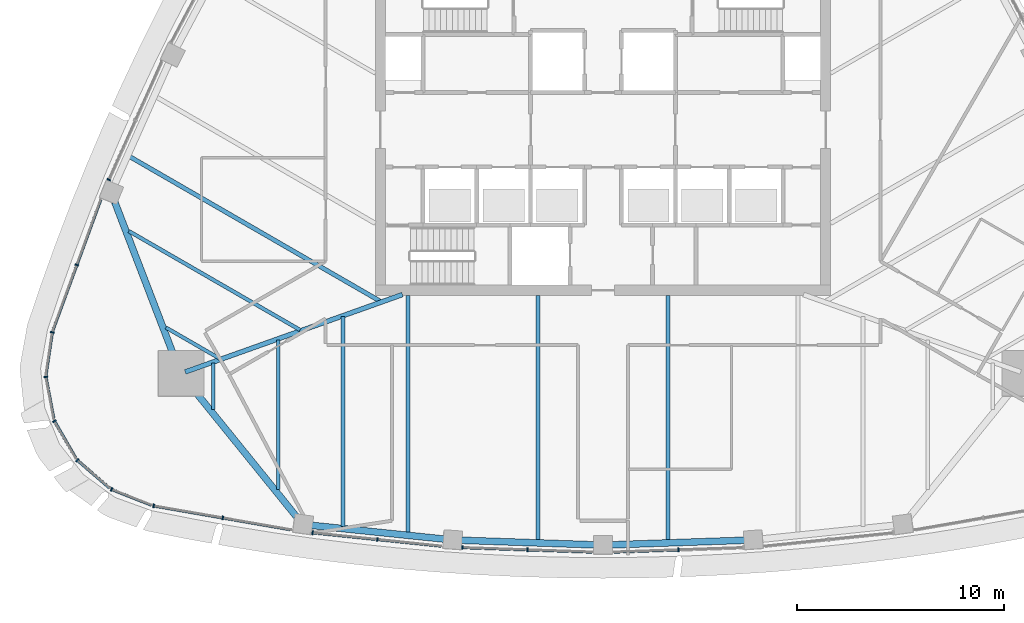
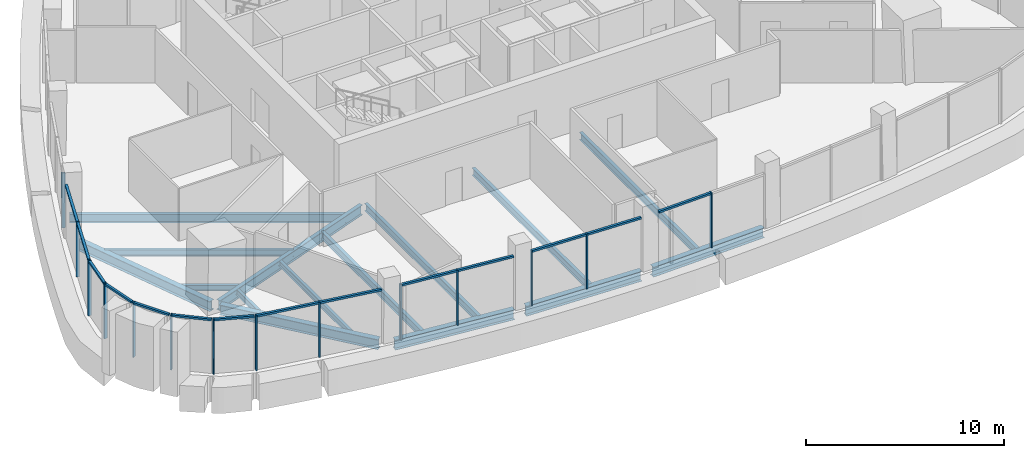
# One storey, part 2 of 15: 28 members, 15 beams, 11 elements without a shape of their own.
"""IFC4 building model written with IfcOpenShell, lengths in metres."""

from ifc_helpers import new_model, si_unit, direction, frame, origin, origin_2d, place, context, subcontext, project, spatial, rectangle, i_section, extrude, material, layer, layer_set, material_profile, profile_set, type_object, element, aggregate, save


model = new_model("IFC4")

# Units and contexts
model_context = context("Model", 3, precision=1e-05, world=origin(), true_north=direction((0.0, 1.0)))
body_context = subcontext(model_context, "Body", "Model", "MODEL_VIEW")
ifc_project = project(units=[si_unit("LENGTHUNIT", "METRE"), si_unit("AREAUNIT", "SQUARE_METRE"), si_unit("VOLUMEUNIT", "CUBIC_METRE"), si_unit("PLANEANGLEUNIT", "RADIAN"), si_unit("MASSUNIT", "GRAM", prefix="KILO")], contexts=[model_context])

# Site, building, storey
site_placement = place(None, origin())
site = spatial("IfcSite", under=ifc_project, at=site_placement, CompositionType="ELEMENT")
building_placement = place(site_placement, origin())
building = spatial("IfcBuilding", under=site, at=building_placement, Name="Sierra Prisma Convention Tower", CompositionType="ELEMENT")
storey_placement = place(building_placement, frame((0.0, 0.0, 299.0)))
storey = spatial("IfcBuildingStorey", under=building, at=storey_placement, Name="L68", CompositionType="ELEMENT", Elevation=299.0)

# Curtain wall, members
ifc_material_1 = material(Name="Aluminium and glass curtain wall", Category="aluminium")
ifc_layer = layer(ifc_material_1, 0.179931640625)
ifc_layer_set = layer_set([ifc_layer], Name="CW-1 Plain shaft curtain wall")
curtain_wall_type = type_object("IfcCurtainWallType", Name="CW-1 Plain shaft curtain wall", PredefinedType="NOTDEFINED", material=ifc_layer_set)
curtain_wall_1_placement = place(storey_placement, origin())
curtain_wall_1 = element("IfcCurtainWall", 1, at=curtain_wall_1_placement, inside=storey, type_object=curtain_wall_type, Name="CW-1 S1 L68", PredefinedType="NOTDEFINED")
ifc_material_2 = material(Name="Aluminium 6063-T6 bronze anodised", Category="aluminium")
ifc_material_profile_1 = material_profile(ifc_material_2, rectangle(XDim=0.179931640625, YDim=0.070068359375, at=origin_2d()), Name="ALU MULLION 70x180")
ifc_profile_set_1 = profile_set([ifc_material_profile_1], Name="Aluminium 6063-T6 bronze anodised")
member_type_1 = type_object("IfcMemberType", Name="CW mullion bronze", PredefinedType="MULLION", material=ifc_profile_set_1)
member_1_placement = place(storey_placement, frame((-21.704345703125, -18.16650390625, 0.0), z_axis=(0.0, 0.0, 1.0), x_axis=(0.17142950315, 0.98519638928, 0.0)))
member_1 = element("IfcMember", 2, at=member_1_placement, type_object=member_type_1, Name="CW-1 mullion S1.1", PredefinedType="MULLION", context=body_context, shape_type="SweptSolid", body=[
    extrude(rectangle(XDim=0.179931640625, YDim=0.070068359375, at=origin_2d()), origin(), (0.0, 0.0, 1.0), 3.39990234375),
])
member_2_placement = place(storey_placement, frame((-18.3662109375, -18.74755859375, 0.0), z_axis=(0.0, 0.0, 1.0), x_axis=(0.17142950315, 0.98519638928, 0.0)))
member_2 = element("IfcMember", 3, at=member_2_placement, type_object=member_type_1, Name="CW-1 mullion S1.2", PredefinedType="MULLION", context=body_context, shape_type="SweptSolid", body=[
    extrude(rectangle(XDim=0.179931640625, YDim=0.070068359375, at=origin_2d()), origin(), (0.0, 0.0, 1.0), 3.39990234375),
])

curtain_wall_2_placement = place(storey_placement, origin())
curtain_wall_2 = element("IfcCurtainWall", 4, at=curtain_wall_2_placement, inside=storey, type_object=curtain_wall_type, Name="CW-1 S2 L68", PredefinedType="NOTDEFINED")
member_3_placement = place(storey_placement, frame((-14.024169921875, -19.466064453125, 0.0), z_axis=(0.0, 0.0, 1.0), x_axis=(0.103184298277, 0.994662254531, 0.0)))
member_3 = element("IfcMember", 5, at=member_3_placement, type_object=member_type_1, Name="CW-1 mullion S2.1", PredefinedType="MULLION", context=body_context, shape_type="SweptSolid", body=[
    extrude(rectangle(XDim=0.179931640625, YDim=0.070068359375, at=origin_2d()), origin(), (0.0, 0.0, 1.0), 3.39990234375),
])
member_4_placement = place(storey_placement, frame((-10.8994140625, -19.7900390625, 0.0), z_axis=(0.0, 0.0, 1.0), x_axis=(0.103184298277, 0.994662254531, 0.0)))
member_4 = element("IfcMember", 6, at=member_4_placement, type_object=member_type_1, Name="CW-1 mullion S2.2", PredefinedType="MULLION", context=body_context, shape_type="SweptSolid", body=[
    extrude(rectangle(XDim=0.179931640625, YDim=0.070068359375, at=origin_2d()), origin(), (0.0, 0.0, 1.0), 3.39990234375),
])

curtain_wall_3_placement = place(storey_placement, origin())
curtain_wall_3 = element("IfcCurtainWall", 7, at=curtain_wall_3_placement, inside=storey, type_object=curtain_wall_type, Name="CW-1 S3 L68", PredefinedType="NOTDEFINED")
member_5_placement = place(storey_placement, frame((-6.795654296875, -20.181396484375, 0.0), z_axis=(0.0, 0.0, 1.0), x_axis=(0.034449276447, 0.999406447524, 0.0)))
member_5 = element("IfcMember", 8, at=member_5_placement, type_object=member_type_1, Name="CW-1 mullion S3.1", PredefinedType="MULLION", context=body_context, shape_type="SweptSolid", body=[
    extrude(rectangle(XDim=0.179931640625, YDim=0.070068359375, at=origin_2d()), origin(), (0.0, 0.0, 1.0), 3.39990234375),
])
member_6_placement = place(storey_placement, frame((-3.64013671875, -20.290283203125, 0.0), z_axis=(0.0, 0.0, 1.0), x_axis=(0.034449276447, 0.999406447524, 0.0)))
member_6 = element("IfcMember", 9, at=member_6_placement, type_object=member_type_1, Name="CW-1 mullion S3.2", PredefinedType="MULLION", context=body_context, shape_type="SweptSolid", body=[
    extrude(rectangle(XDim=0.179931640625, YDim=0.070068359375, at=origin_2d()), origin(), (0.0, 0.0, 1.0), 3.39990234375),
])

# Curtain wall, member
curtain_wall_4_placement = place(storey_placement, origin())
curtain_wall_4 = element("IfcCurtainWall", 10, at=curtain_wall_4_placement, inside=storey, type_object=curtain_wall_type, Name="CW-1 S4 L68", PredefinedType="NOTDEFINED")
member_7_placement = place(storey_placement, frame((3.64013671875, -20.290283203125, 0.0), z_axis=(0.0, 0.0, 1.0), x_axis=(-0.034449276447, 0.999406447524, 0.0)))
member_7 = element("IfcMember", 11, at=member_7_placement, type_object=member_type_1, Name="CW-1 mullion S4.2", PredefinedType="MULLION", context=body_context, shape_type="SweptSolid", body=[
    extrude(rectangle(XDim=0.179931640625, YDim=0.070068359375, at=origin_2d()), origin(), (0.0, 0.0, 1.0), 3.39990234375),
])

curtain_wall_5_placement = place(storey_placement, origin())
curtain_wall_5 = element("IfcCurtainWall", 12, at=curtain_wall_5_placement, inside=storey, type_object=curtain_wall_type, Name="CW-1 NW5 L68", PredefinedType="NOTDEFINED")
member_8_placement = place(storey_placement, frame((-23.8701171875, -2.412353515625, 0.0), z_axis=(0.0, 0.0, 1.0), x_axis=(0.912994929748, -0.407970903686, 0.0)))
member_8 = element("IfcMember", 13, at=member_8_placement, type_object=member_type_1, Name="CW-1 mullion NW5.3", PredefinedType="MULLION", context=body_context, shape_type="SweptSolid", body=[
    extrude(rectangle(XDim=0.179931640625, YDim=0.070068359375, at=origin_2d()), origin(), (0.0, 0.0, 1.0), 3.39990234375),
])
aggregate(curtain_wall_5, [member_8])

curtain_wall_6_placement = place(storey_placement, origin())
curtain_wall_6 = element("IfcCurtainWall", 14, at=curtain_wall_6_placement, inside=storey, type_object=curtain_wall_type, Name="CW-1 NW6 L68", PredefinedType="NOTDEFINED")
member_9_placement = place(storey_placement, frame((-25.418701171875, -6.53173828125, 0.0), z_axis=(0.0, 0.0, 1.0), x_axis=(0.938919852408, -0.344135889954, 0.0)))
member_9 = element("IfcMember", 15, at=member_9_placement, type_object=member_type_1, Name="CW-1 mullion NW6.2", PredefinedType="MULLION", context=body_context, shape_type="SweptSolid", body=[
    extrude(rectangle(XDim=0.179931640625, YDim=0.070068359375, at=origin_2d()), origin(), (0.0, 0.0, 1.0), 3.39990234375),
])

curtain_wall_7_placement = place(storey_placement, origin())
curtain_wall_7 = element("IfcCurtainWall", 16, at=curtain_wall_7_placement, inside=storey, type_object=curtain_wall_type, Name="CW-1 SW1 L68", PredefinedType="NOTDEFINED")
member_10_placement = place(storey_placement, frame((-26.60205078125, -9.78076171875, 0.0), z_axis=(0.0, 0.0, 1.0), x_axis=(0.988954136659, -0.148221845843, 0.0)))
member_10 = element("IfcMember", 17, at=member_10_placement, type_object=member_type_1, Name="CW-1 mullion SW1.1", PredefinedType="MULLION", context=body_context, shape_type="SweptSolid", body=[
    extrude(rectangle(XDim=0.179931640625, YDim=0.070068359375, at=origin_2d()), origin(), (0.0, 0.0, 1.0), 3.39990234375),
])

curtain_wall_8_placement = place(storey_placement, origin())
curtain_wall_8 = element("IfcCurtainWall", 18, at=curtain_wall_8_placement, inside=storey, type_object=curtain_wall_type, Name="CW-1 SW2 L68", PredefinedType="NOTDEFINED")
member_11_placement = place(storey_placement, frame((-26.913818359375, -11.9384765625, 0.0), z_axis=(0.0, 0.0, 1.0), x_axis=(0.982489269266, 0.186319177159, 0.0)))
member_11 = element("IfcMember", 19, at=member_11_placement, type_object=member_type_1, Name="CW-1 mullion SW2.1", PredefinedType="MULLION", context=body_context, shape_type="SweptSolid", body=[
    extrude(rectangle(XDim=0.179931640625, YDim=0.070068359375, at=origin_2d()), origin(), (0.0, 0.0, 1.0), 3.39990234375),
])

curtain_wall_9_placement = place(storey_placement, origin())
curtain_wall_9 = element("IfcCurtainWall", 20, at=curtain_wall_9_placement, inside=storey, type_object=curtain_wall_type, Name="CW-1 SW3 L68", PredefinedType="NOTDEFINED")
member_12_placement = place(storey_placement, frame((-26.496337890625, -14.078125, 0.0), z_axis=(0.0, 0.0, 1.0), x_axis=(0.866025403784, 0.5, 0.0)))
member_12 = element("IfcMember", 21, at=member_12_placement, type_object=member_type_1, Name="CW-1 mullion SW3.1", PredefinedType="MULLION", context=body_context, shape_type="SweptSolid", body=[
    extrude(rectangle(XDim=0.179931640625, YDim=0.070068359375, at=origin_2d()), origin(), (0.0, 0.0, 1.0), 3.39990234375),
])

curtain_wall_10_placement = place(storey_placement, origin())
curtain_wall_10 = element("IfcCurtainWall", 22, at=curtain_wall_10_placement, inside=storey, type_object=curtain_wall_type, Name="CW-1 SW4 L68", PredefinedType="NOTDEFINED")
member_13_placement = place(storey_placement, frame((-25.396240234375, -15.96044921875, 0.0), z_axis=(0.0, 0.0, 1.0), x_axis=(0.652601775265, 0.757701077551, 0.0)))
member_13 = element("IfcMember", 23, at=member_13_placement, type_object=member_type_1, Name="CW-1 mullion SW4.1", PredefinedType="MULLION", context=body_context, shape_type="SweptSolid", body=[
    extrude(rectangle(XDim=0.179931640625, YDim=0.070068359375, at=origin_2d()), origin(), (0.0, 0.0, 1.0), 3.39990234375),
])

curtain_wall_11_placement = place(storey_placement, origin())
curtain_wall_11 = element("IfcCurtainWall", 24, at=curtain_wall_11_placement, inside=storey, type_object=curtain_wall_type, Name="CW-1 SW5 L68", PredefinedType="NOTDEFINED")
member_14_placement = place(storey_placement, frame((-23.73681640625, -17.37451171875, 0.0), z_axis=(0.0, 0.0, 1.0), x_axis=(0.366113184434, 0.930570328446, 0.0)))
member_14 = element("IfcMember", 25, at=member_14_placement, type_object=member_type_1, Name="CW-1 mullion SW5.1", PredefinedType="MULLION", context=body_context, shape_type="SweptSolid", body=[
    extrude(rectangle(XDim=0.179931640625, YDim=0.070068359375, at=origin_2d()), origin(), (0.0, 0.0, 1.0), 3.39990234375),
])

# Member
ifc_material_3 = material(Name="Aluminium 6063-T6 bronze anodised", Category="aluminium")
ifc_material_profile_2 = material_profile(ifc_material_3, rectangle(XDim=0.139892578125, YDim=0.1201171875, at=origin_2d()), Name="ALU TRANSOM 120x140")
ifc_profile_set_2 = profile_set([ifc_material_profile_2], Name="Aluminium 6063-T6 bronze anodised")
member_type_2 = type_object("IfcMemberType", Name="CW transom bronze", PredefinedType="USERDEFINED", material=ifc_profile_set_2)
member_15_placement = place(storey_placement, frame((-21.669677734375, -18.172607421875, 3.340087890625), z_axis=(0.985195549983, -0.171434326472, 0.0), x_axis=(0.171434326472, 0.985195549983, 0.0)))
member_15 = element("IfcMember", 26, at=member_15_placement, type_object=member_type_2, Name="CW-1 transom S1.1", ObjectType="TRANSOM", PredefinedType="USERDEFINED", context=body_context, shape_type="SweptSolid", body=[
    extrude(rectangle(XDim=0.139892578125, YDim=0.1201171875, at=origin_2d()), origin(), (0.0, 0.0, 1.0), 3.318115234375),
])

member_16_placement = place(storey_placement, frame((-18.33154296875, -18.75341796875, 3.340087890625), z_axis=(0.985195549983, -0.171434326472, 0.0), x_axis=(0.171434326472, 0.985195549983, 0.0)))
member_16 = element("IfcMember", 27, at=member_16_placement, type_object=member_type_2, Name="CW-1 transom S1.2", ObjectType="TRANSOM", PredefinedType="USERDEFINED", context=body_context, shape_type="SweptSolid", body=[
    extrude(rectangle(XDim=0.139892578125, YDim=0.1201171875, at=origin_2d()), origin(), (0.0, 0.0, 1.0), 3.318115234375),
])

aggregate(curtain_wall_1, [member_1, member_2, member_15, member_16])

member_17_placement = place(storey_placement, frame((-13.9892578125, -19.4697265625, 3.340087890625), z_axis=(0.99466285752, -0.1031784855, 0.0), x_axis=(0.1031784855, 0.99466285752, 0.0)))
member_17 = element("IfcMember", 28, at=member_17_placement, type_object=member_type_2, Name="CW-1 transom S2.1", ObjectType="TRANSOM", PredefinedType="USERDEFINED", context=body_context, shape_type="SweptSolid", body=[
    extrude(rectangle(XDim=0.139892578125, YDim=0.1201171875, at=origin_2d()), origin(), (0.0, 0.0, 1.0), 3.0712890625),
])

member_18_placement = place(storey_placement, frame((-10.86474609375, -19.793701171875, 3.340087890625), z_axis=(0.994663703658, -0.10317032822, 0.0), x_axis=(0.10317032822, 0.994663703658, 0.0)))
member_18 = element("IfcMember", 29, at=member_18_placement, type_object=member_type_2, Name="CW-1 transom S2.2", ObjectType="TRANSOM", PredefinedType="USERDEFINED", context=body_context, shape_type="SweptSolid", body=[
    extrude(rectangle(XDim=0.139892578125, YDim=0.1201171875, at=origin_2d()), origin(), (0.0, 0.0, 1.0), 3.071533203125),
])

aggregate(curtain_wall_2, [member_3, member_4, member_17, member_18])

member_19_placement = place(storey_placement, frame((-6.760498046875, -20.1826171875, 3.340087890625), z_axis=(0.999405435709, -0.034478617659, 0.0), x_axis=(0.034478617659, 0.999405435709, 0.0)))
member_19 = element("IfcMember", 30, at=member_19_placement, type_object=member_type_2, Name="CW-1 transom S3.1", ObjectType="TRANSOM", PredefinedType="USERDEFINED", context=body_context, shape_type="SweptSolid", body=[
    extrude(rectangle(XDim=0.139892578125, YDim=0.1201171875, at=origin_2d()), origin(), (0.0, 0.0, 1.0), 3.08740234375),
])

member_20_placement = place(storey_placement, frame((-3.605224609375, -20.29150390625, 3.340087890625), z_axis=(0.999408157522, -0.034399631945, 0.0), x_axis=(0.034399631945, 0.999408157522, 0.0)))
member_20 = element("IfcMember", 31, at=member_20_placement, type_object=member_type_2, Name="CW-1 transom S3.2", ObjectType="TRANSOM", PredefinedType="USERDEFINED", context=body_context, shape_type="SweptSolid", body=[
    extrude(rectangle(XDim=0.139892578125, YDim=0.1201171875, at=origin_2d()), origin(), (0.0, 0.0, 1.0), 3.087158203125),
])

aggregate(curtain_wall_3, [member_5, member_6, member_19, member_20])

member_21_placement = place(storey_placement, frame((0.519775390625, -20.397705078125, 3.340087890625), z_axis=(0.999408157522, 0.034399631945, 0.0), x_axis=(-0.034399631945, 0.999408157522, 0.0)))
member_21 = element("IfcMember", 32, at=member_21_placement, type_object=member_type_2, Name="CW-1 transom S4.1", ObjectType="TRANSOM", PredefinedType="USERDEFINED", context=body_context, shape_type="SweptSolid", body=[
    extrude(rectangle(XDim=0.139892578125, YDim=0.1201171875, at=origin_2d()), origin(), (0.0, 0.0, 1.0), 3.087158203125),
])

aggregate(curtain_wall_4, [member_7, member_21])

member_22_placement = place(storey_placement, frame((-24.264892578125, -3.38330078125, 3.340087890625), z_axis=(-0.344098996248, -0.938933373984, 0.0), x_axis=(0.938933373984, -0.344098996248, 0.0)))
member_22 = element("IfcMember", 33, at=member_22_placement, type_object=member_type_2, Name="CW-1 transom NW6.1", ObjectType="TRANSOM", PredefinedType="USERDEFINED", context=body_context, shape_type="SweptSolid", body=[
    extrude(rectangle(XDim=0.139892578125, YDim=0.1201171875, at=origin_2d()), origin(), (0.0, 0.0, 1.0), 3.318359375),
])

member_23_placement = place(storey_placement, frame((-25.430908203125, -6.564697265625, 3.340087890625), z_axis=(-0.344098996248, -0.938933373984, 0.0), x_axis=(0.938933373984, -0.344098996248, 0.0)))
member_23 = element("IfcMember", 34, at=member_23_placement, type_object=member_type_2, Name="CW-1 transom NW6.2", ObjectType="TRANSOM", PredefinedType="USERDEFINED", context=body_context, shape_type="SweptSolid", body=[
    extrude(rectangle(XDim=0.139892578125, YDim=0.1201171875, at=origin_2d()), origin(), (0.0, 0.0, 1.0), 3.318359375),
])

aggregate(curtain_wall_6, [member_9, member_22, member_23])

member_24_placement = place(storey_placement, frame((-26.607177734375, -9.815185546875, 3.340087890625), z_axis=(-0.148246913714, -0.988950379228, 0.0), x_axis=(0.988950379228, -0.148246913714, 0.0)))
member_24 = element("IfcMember", 35, at=member_24_placement, type_object=member_type_2, Name="CW-1 transom SW1.1", ObjectType="TRANSOM", PredefinedType="USERDEFINED", context=body_context, shape_type="SweptSolid", body=[
    extrude(rectangle(XDim=0.139892578125, YDim=0.1201171875, at=origin_2d()), origin(), (0.0, 0.0, 1.0), 2.0419921875),
])

aggregate(curtain_wall_7, [member_10, member_24])

member_25_placement = place(storey_placement, frame((-26.9072265625, -11.972900390625, 3.340087890625), z_axis=(0.186287882089, -0.982495203544, 0.0), x_axis=(0.982495203544, 0.186287882089, 0.0)))
member_25 = element("IfcMember", 36, at=member_25_placement, type_object=member_type_2, Name="CW-1 transom SW2.1", ObjectType="TRANSOM", PredefinedType="USERDEFINED", context=body_context, shape_type="SweptSolid", body=[
    extrude(rectangle(XDim=0.139892578125, YDim=0.1201171875, at=origin_2d()), origin(), (0.0, 0.0, 1.0), 2.041748046875),
])

aggregate(curtain_wall_8, [member_11, member_25])

member_26_placement = place(storey_placement, frame((-26.478759765625, -14.108642578125, 3.340087890625), z_axis=(0.500022597718, -0.866012356593, 0.0), x_axis=(0.866012356593, 0.500022597718, 0.0)))
member_26 = element("IfcMember", 37, at=member_26_placement, type_object=member_type_2, Name="CW-1 transom SW3.1", ObjectType="TRANSOM", PredefinedType="USERDEFINED", context=body_context, shape_type="SweptSolid", body=[
    extrude(rectangle(XDim=0.139892578125, YDim=0.1201171875, at=origin_2d()), origin(), (0.0, 0.0, 1.0), 2.0419921875),
])

aggregate(curtain_wall_9, [member_12, member_26])

member_27_placement = place(storey_placement, frame((-25.36962890625, -15.9833984375, 3.340087890625), z_axis=(0.75770146525, -0.652601325128, 0.0), x_axis=(0.652601325128, 0.75770146525, 0.0)))
member_27 = element("IfcMember", 38, at=member_27_placement, type_object=member_type_2, Name="CW-1 transom SW4.1", ObjectType="TRANSOM", PredefinedType="USERDEFINED", context=body_context, shape_type="SweptSolid", body=[
    extrude(rectangle(XDim=0.139892578125, YDim=0.1201171875, at=origin_2d()), origin(), (0.0, 0.0, 1.0), 2.041748046875),
])

aggregate(curtain_wall_10, [member_13, member_27])

member_28_placement = place(storey_placement, frame((-23.7041015625, -17.38720703125, 3.340087890625), z_axis=(0.930531891149, -0.366210867608, 0.0), x_axis=(0.366210867608, 0.930531891149, 0.0)))
member_28 = element("IfcMember", 39, at=member_28_placement, type_object=member_type_2, Name="CW-1 transom SW5.1", ObjectType="TRANSOM", PredefinedType="USERDEFINED", context=body_context, shape_type="SweptSolid", body=[
    extrude(rectangle(XDim=0.139892578125, YDim=0.1201171875, at=origin_2d()), origin(), (0.0, 0.0, 1.0), 2.0419921875),
])

aggregate(curtain_wall_11, [member_14, member_28])

# Beams
ifc_material_4 = material(Name="Steel ASTM A992 Gr 50", Category="steel")
ifc_material_profile_3 = material_profile(ifc_material_4, i_section(OverallWidth=0.172119140625, OverallDepth=0.35791015625, WebThickness=0.0078125, FlangeThickness=0.01318359375, at=origin_2d()), Name="W360x57")
ifc_profile_set_3 = profile_set([ifc_material_profile_3], Name="Steel ASTM A992 Gr 50")
beam_type_1 = type_object("IfcBeamType", Name="Floor joist W360x57", PredefinedType="JOIST", material=ifc_profile_set_3)
beam_1_placement = place(storey_placement, frame((-18.830810546875, -13.508544921875, -0.3291015625), z_axis=(0.0, 1.0, 0.0), x_axis=(-1.0, 0.0, 0.0)))
element("IfcBeam", 40, at=beam_1_placement, inside=storey, type_object=beam_type_1, Name="Floor joist L68 S01", PredefinedType="JOIST", context=body_context, shape_type="SweptSolid", body=[
    extrude(i_section(OverallWidth=0.172119140625, OverallDepth=0.35791015625, WebThickness=0.0078125, FlangeThickness=0.01318359375, at=origin_2d()), origin(), (0.0, 0.0, 1.0), 2.240966796875),
])
beam_2_placement = place(storey_placement, frame((-15.6923828125, -17.3857421875, -0.3291015625), z_axis=(0.0, 1.0, 0.0), x_axis=(-1.0, 0.0, 0.0)))
element("IfcBeam", 41, at=beam_2_placement, inside=storey, type_object=beam_type_1, Name="Floor joist L68 S02", PredefinedType="JOIST", context=body_context, shape_type="SweptSolid", body=[
    extrude(i_section(OverallWidth=0.172119140625, OverallDepth=0.35791015625, WebThickness=0.0078125, FlangeThickness=0.01318359375, at=origin_2d()), origin(), (0.0, 0.0, 1.0), 7.23681640625),
])
beam_3_placement = place(storey_placement, frame((-21.114013671875, -9.5537109375, -0.3291015625), z_axis=(0.866004263386, -0.500036614457, 0.0), x_axis=(0.500036614457, 0.866004263386, 0.0)))
element("IfcBeam", 42, at=beam_3_placement, inside=storey, type_object=beam_type_1, Name="Floor joist L68 NW13", PredefinedType="JOIST", context=body_context, shape_type="SweptSolid", body=[
    extrude(i_section(OverallWidth=0.172119140625, OverallDepth=0.35791015625, WebThickness=0.0078125, FlangeThickness=0.01318359375, at=origin_2d()), origin(), (0.0, 0.0, 1.0), 3.004638671875),
])
ifc_material_5 = material(Name="Steel ASTM A992 Gr 50", Category="steel")
ifc_material_profile_4 = material_profile(ifc_material_5, i_section(OverallWidth=0.177978515625, OverallDepth=0.406982421875, WebThickness=0.0078125, FlangeThickness=0.0126953125, at=origin_2d()), Name="W410x60")
ifc_profile_set_4 = profile_set([ifc_material_profile_4], Name="Steel ASTM A992 Gr 50")
beam_type_2 = type_object("IfcBeamType", Name="Floor joist W410x60", PredefinedType="JOIST", material=ifc_profile_set_4)
beam_4_placement = place(storey_placement, frame((-22.90283203125, -4.897216796875, -0.353515625), z_axis=(0.866034056795, -0.499985012247, 0.0), x_axis=(0.499985012247, 0.866034056795, 0.0)))
element("IfcBeam", 43, at=beam_4_placement, inside=storey, type_object=beam_type_2, Name="Floor joist L68 NW12", PredefinedType="JOIST", context=body_context, shape_type="SweptSolid", body=[
    extrude(i_section(OverallWidth=0.177978515625, OverallDepth=0.406982421875, WebThickness=0.0078125, FlangeThickness=0.0126953125, at=origin_2d()), origin(), (0.0, 0.0, 1.0), 9.551513671875),
])
ifc_material_6 = material(Name="Steel ASTM A992 Gr 50", Category="steel")
ifc_material_profile_5 = material_profile(ifc_material_6, i_section(OverallWidth=0.18994140625, OverallDepth=0.45703125, WebThickness=0.009033203125, FlangeThickness=0.014404296875, at=origin_2d()), Name="W460x74")
ifc_profile_set_5 = profile_set([ifc_material_profile_5], Name="Steel ASTM A992 Gr 50")
beam_type_3 = type_object("IfcBeamType", Name="Floor joist W460x74", PredefinedType="JOIST", material=ifc_profile_set_5)
beam_5_placement = place(storey_placement, frame((-12.553955078125, -19.153564453125, -0.37841796875), z_axis=(0.0, 1.0, 0.0), x_axis=(-1.0, 0.0, 0.0)))
element("IfcBeam", 44, at=beam_5_placement, inside=storey, type_object=beam_type_3, Name="Floor joist L68 S03", PredefinedType="JOIST", context=body_context, shape_type="SweptSolid", body=[
    extrude(i_section(OverallWidth=0.18994140625, OverallDepth=0.45703125, WebThickness=0.009033203125, FlangeThickness=0.014404296875, at=origin_2d()), origin(), (0.0, 0.0, 1.0), 10.123291015625),
])
beam_6_placement = place(storey_placement, frame((-9.41552734375, -19.47900390625, -0.37841796875), z_axis=(0.0, 1.0, 0.0), x_axis=(-1.0, 0.0, 0.0)))
element("IfcBeam", 45, at=beam_6_placement, inside=storey, type_object=beam_type_3, Name="Floor joist L68 S04", PredefinedType="JOIST", context=body_context, shape_type="SweptSolid", body=[
    extrude(i_section(OverallWidth=0.18994140625, OverallDepth=0.45703125, WebThickness=0.009033203125, FlangeThickness=0.014404296875, at=origin_2d()), origin(), (0.0, 0.0, 1.0), 11.47900390625),
])
for number, where, z_axis, x_axis, name in (
    (46, (-3.138427734375, -19.844970703125, -0.37841796875), (0.0, 1.0, 0.0), (-1.0, 0.0, 0.0), "Floor joist L68 S06"),
    (47, (3.138427734375, -19.844970703125, -0.37841796875), (0.0, 1.0, 0.0), (-1.0, 0.0, 0.0), "Floor joist L68 S08"),
):
    element("IfcBeam", number, at=place(storey_placement, frame(where, z_axis=z_axis, x_axis=x_axis)), inside=storey, type_object=beam_type_3, Name=name, PredefinedType="JOIST", context=body_context, shape_type="SweptSolid", body=[
        extrude(i_section(OverallWidth=0.18994140625, OverallDepth=0.45703125, WebThickness=0.009033203125, FlangeThickness=0.014404296875, at=origin_2d()), origin(), (0.0, 0.0, 1.0), 11.844970703125),
    ])
ifc_material_7 = material(Name="Steel ASTM A992 Gr 50", Category="steel")
ifc_material_profile_6 = material_profile(ifc_material_7, i_section(OverallWidth=0.208984375, OverallDepth=0.532958984375, WebThickness=0.01025390625, FlangeThickness=0.015625, at=origin_2d()), Name="W530x92")
ifc_profile_set_6 = profile_set([ifc_material_profile_6], Name="Steel ASTM A992 Gr 50")
beam_type_4 = type_object("IfcBeamType", Name="Floor joist W530x92", PredefinedType="JOIST", material=ifc_profile_set_6)
beam_7_placement = place(storey_placement, frame((-22.864501953125, -1.295166015625, -0.41650390625), z_axis=(0.866027482429, -0.499996399664, 0.0), x_axis=(0.499996399664, 0.866027482429, 0.0)))
element("IfcBeam", 48, at=beam_7_placement, inside=storey, type_object=beam_type_4, Name="Floor joist L68 NW11", PredefinedType="JOIST", context=body_context, shape_type="SweptSolid", body=[
    extrude(i_section(OverallWidth=0.208984375, OverallDepth=0.532958984375, WebThickness=0.01025390625, FlangeThickness=0.015625, at=origin_2d()), origin(), (0.0, 0.0, 1.0), 13.98876953125),
])
ifc_material_8 = material(Name="Steel ASTM A992 Gr 50", Category="steel")
ifc_material_profile_7 = material_profile(ifc_material_8, i_section(OverallWidth=0.22998046875, OverallDepth=0.616943359375, WebThickness=0.01318359375, FlangeThickness=0.022216796875, at=origin_2d()), Name="W610x140")
ifc_profile_set_7 = profile_set([ifc_material_profile_7], Name="Steel ASTM A992 Gr 50")
beam_type_5 = type_object("IfcBeamType", Name="Radial girder W610x140", PredefinedType="BEAM", material=ifc_profile_set_7)
beam_8_placement = place(storey_placement, frame((-20.18017578125, -11.69970703125, -0.45849609375), z_axis=(0.94195691379, 0.335733782279, 0.0), x_axis=(-0.335733782279, 0.94195691379, 0.0)))
element("IfcBeam", 49, at=beam_8_placement, inside=storey, type_object=beam_type_5, Name="Radial girder L68 SW", PredefinedType="BEAM", context=body_context, shape_type="SweptSolid", body=[
    extrude(i_section(OverallWidth=0.22998046875, OverallDepth=0.616943359375, WebThickness=0.01318359375, FlangeThickness=0.022216796875, at=origin_2d()), origin(), (0.0, 0.0, 1.0), 11.1396484375),
])
ifc_material_9 = material(Name="Steel ASTM A992 Gr 50", Category="steel")
ifc_material_profile_8 = material_profile(ifc_material_9, i_section(OverallWidth=0.324951171875, OverallDepth=0.615966796875, WebThickness=0.013916015625, FlangeThickness=0.021484375, at=origin_2d()), Name="W610x174")
ifc_profile_set_8 = profile_set([ifc_material_profile_8], Name="Steel ASTM A992 Gr 50")
beam_type_6 = type_object("IfcBeamType", Name="Spandrel beam W610x174", PredefinedType="BEAM", material=ifc_profile_set_8)
beam_9_placement = place(storey_placement, frame((-20.22216796875, -11.998046875, -0.4580078125), z_axis=(0.629153286706, -0.777281250145, 0.0), x_axis=(0.777281250145, 0.629153286706, 0.0)))
element("IfcBeam", 50, at=beam_9_placement, inside=storey, type_object=beam_type_6, Name="Spandrel L68-01", PredefinedType="BEAM", context=body_context, shape_type="SweptSolid", body=[
    extrude(i_section(OverallWidth=0.324951171875, OverallDepth=0.615966796875, WebThickness=0.013916015625, FlangeThickness=0.021484375, at=origin_2d()), origin(), (0.0, 0.0, 1.0), 8.59521484375),
])
for number, where, z_axis, x_axis, name in (
    (51, (-14.173583984375, -19.098876953125, -0.4580078125), (0.994664129982, -0.103166217951, 0.0), (0.103166217951, 0.994664129982, 0.0), "Spandrel L68-02"),
    (52, (-6.938232421875, -19.82666015625, -0.4580078125), (0.999406437793, -0.034449558742, 0.0), (0.034449558742, 0.999406437793, 0.0), "Spandrel L68-03"),
    (53, (0.330078125, -20.054443359375, -0.4580078125), (0.999406437793, 0.034449558742, 0.0), (-0.034449558742, 0.999406437793, 0.0), "Spandrel L68-04"),
):
    element("IfcBeam", number, at=place(storey_placement, frame(where, z_axis=z_axis, x_axis=x_axis)), inside=storey, type_object=beam_type_6, Name=name, PredefinedType="BEAM", context=body_context, shape_type="SweptSolid", body=[
        extrude(i_section(OverallWidth=0.324951171875, OverallDepth=0.615966796875, WebThickness=0.013916015625, FlangeThickness=0.021484375, at=origin_2d()), origin(), (0.0, 0.0, 1.0), 6.612060546875),
    ])
beam_10_placement = place(storey_placement, frame((-23.58349609375, -3.490234375, -0.4580078125), z_axis=(0.358560700445, -0.933506413527, 0.0), x_axis=(0.933506413527, 0.358560700445, 0.0)))
element("IfcBeam", 54, at=beam_10_placement, inside=storey, type_object=beam_type_6, Name="Spandrel L68-18", PredefinedType="BEAM", context=body_context, shape_type="SweptSolid", body=[
    extrude(i_section(OverallWidth=0.324951171875, OverallDepth=0.615966796875, WebThickness=0.013916015625, FlangeThickness=0.021484375, at=origin_2d()), origin(), (0.0, 0.0, 1.0), 8.642578125),
])

save(model, "model.ifc")
